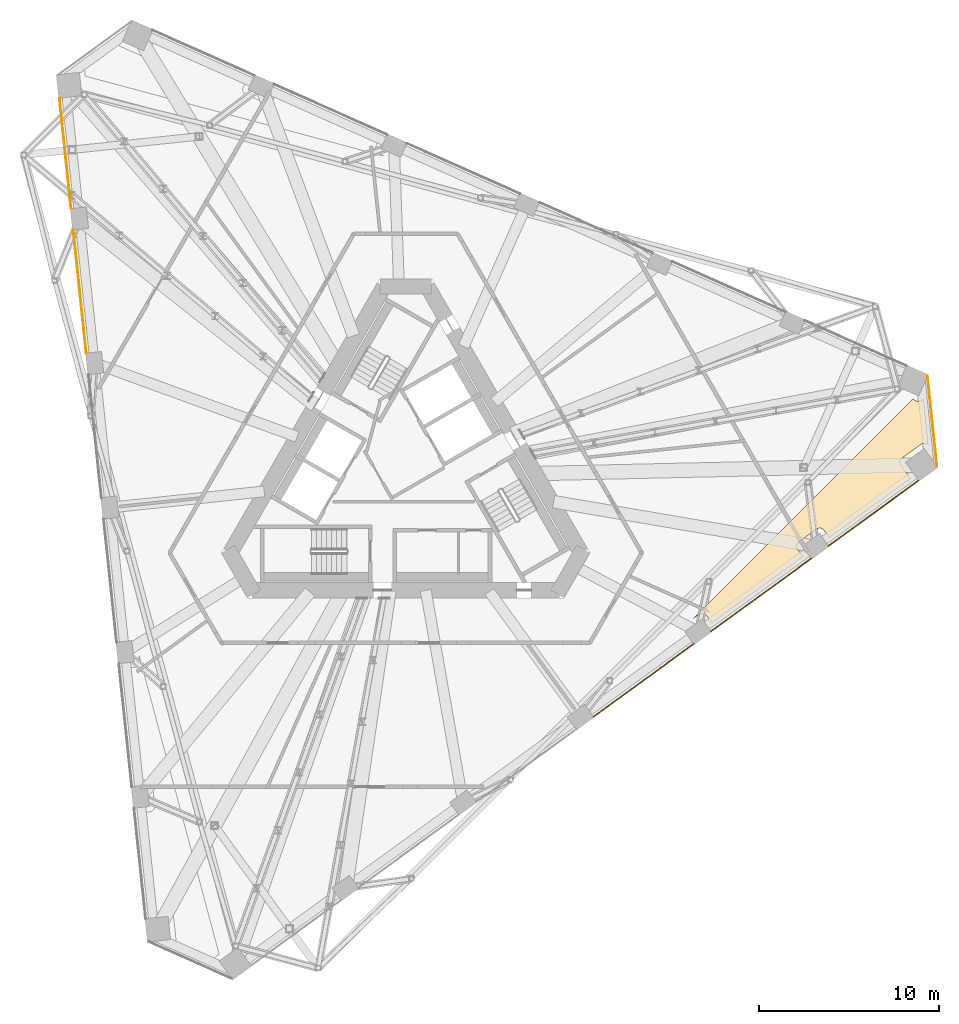
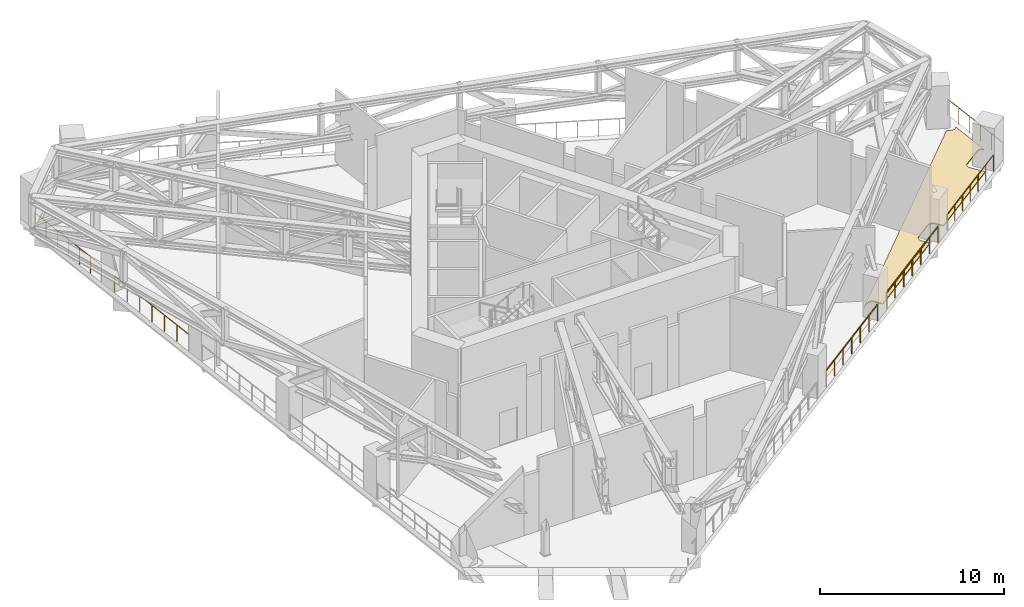
# One storey, part 24 of 26: 6 railings, 2 coverings.
"""IFC4 building model written with IfcOpenShell, lengths in metres."""

from ifc_helpers import new_model, si_unit, direction, frame, origin, origin_2d, place, context, subcontext, project, spatial, polyline, circle, outline, extrude, material, layer, layer_set, type_object, element, save


model = new_model("IFC4")

# Units and contexts
model_context = context("Model", 3, precision=1e-05, world=origin(), true_north=direction((0.0, 1.0)))
body_context = subcontext(model_context, "Body", "Model", "MODEL_VIEW")
ifc_project = project(units=[si_unit("LENGTHUNIT", "METRE"), si_unit("AREAUNIT", "SQUARE_METRE"), si_unit("VOLUMEUNIT", "CUBIC_METRE"), si_unit("PLANEANGLEUNIT", "RADIAN"), si_unit("MASSUNIT", "GRAM", prefix="KILO")], contexts=[model_context])

# Site, building, storey
site_placement = place(None, origin())
site = spatial("IfcSite", under=ifc_project, at=site_placement, CompositionType="ELEMENT")
building_placement = place(site_placement, origin())
building = spatial("IfcBuilding", under=site, at=building_placement, Name="Tramontana Tower", CompositionType="ELEMENT")
storey_placement = place(building_placement, frame((0.0, 0.0, 194.800048828125)))
storey = spatial("IfcBuildingStorey", under=building, at=storey_placement, Name="L45", CompositionType="ELEMENT", Elevation=194.800048828125)

# Railings
ifc_material_1 = material(Name="Stainless steel rail and posts", Category="steel")
railing_type = type_object("IfcRailingType", Name="GD2 Terrace guard 1100", PredefinedType="GUARDRAIL", material=ifc_material_1)
railing_1_placement = place(storey_placement, frame((-19.255859375, 21.05126953125, 0.0)))
element("IfcRailing", 1, at=railing_1_placement, inside=storey, type_object=railing_type, Name="Edge guard L45 2", PredefinedType="GUARDRAIL", context=body_context, shape_type="SweptSolid", body=[
    extrude(circle(Radius=0.02392578125, at=origin_2d()), frame((0.0, 0.0, 1.076171875), z_axis=(0.104518294594, -0.994522964086, 0.0), x_axis=(0.994522964086, 0.104518294594, 0.0)), (0.0, 0.0, 1.0), 6.18310546875),
    extrude(circle(Radius=0.02099609375, at=origin_2d()), origin(), (0.0, 0.0, 1.0), 1.052001953125),
    extrude(circle(Radius=0.02099609375, at=origin_2d()), frame((0.107666015625, -1.02490234375, 0.0)), (0.0, 0.0, 1.0), 1.052001953125),
    extrude(circle(Radius=0.02099609375, at=origin_2d()), frame((0.21533203125, -2.0498046875, 0.0)), (0.0, 0.0, 1.0), 1.052001953125),
    extrude(circle(Radius=0.02099609375, at=origin_2d()), frame((0.3232421875, -3.07470703125, 0.0)), (0.0, 0.0, 1.0), 1.052001953125),
    extrude(circle(Radius=0.02099609375, at=origin_2d()), frame((0.430908203125, -4.099365234375, 0.0)), (0.0, 0.0, 1.0), 1.052001953125),
    extrude(circle(Radius=0.02099609375, at=origin_2d()), frame((0.53857421875, -5.124267578125, 0.0)), (0.0, 0.0, 1.0), 1.052001953125),
    extrude(circle(Radius=0.02099609375, at=origin_2d()), frame((0.646240234375, -6.149169921875, 0.0)), (0.0, 0.0, 1.0), 1.052001953125),
])
railing_2_placement = place(storey_placement, frame((-18.484130859375, 13.708740234375, 0.0)))
element("IfcRailing", 2, at=railing_2_placement, inside=storey, type_object=railing_type, Name="Edge guard L45 3", PredefinedType="GUARDRAIL", context=body_context, shape_type="SweptSolid", body=[
    extrude(circle(Radius=0.02392578125, at=origin_2d()), frame((0.0, 0.0, 1.076171875), z_axis=(0.104531531326, -0.994521572898, 0.0), x_axis=(0.994521572898, 0.104531531326, 0.0)), (0.0, 0.0, 1.0), 6.8828125),
    extrude(circle(Radius=0.02099609375, at=origin_2d()), origin(), (0.0, 0.0, 1.0), 1.052001953125),
    extrude(circle(Radius=0.02099609375, at=origin_2d()), frame((0.119873046875, -1.140869140625, 0.0)), (0.0, 0.0, 1.0), 1.052001953125),
    extrude(circle(Radius=0.02099609375, at=origin_2d()), frame((0.23974609375, -2.28173828125, 0.0)), (0.0, 0.0, 1.0), 1.052001953125),
    extrude(circle(Radius=0.02099609375, at=origin_2d()), frame((0.35986328125, -3.422607421875, 0.0)), (0.0, 0.0, 1.0), 1.052001953125),
    extrude(circle(Radius=0.02099609375, at=origin_2d()), frame((0.479736328125, -4.5634765625, 0.0)), (0.0, 0.0, 1.0), 1.052001953125),
    extrude(circle(Radius=0.02099609375, at=origin_2d()), frame((0.599609375, -5.704345703125, 0.0)), (0.0, 0.0, 1.0), 1.052001953125),
    extrude(circle(Radius=0.02099609375, at=origin_2d()), frame((0.719482421875, -6.84521484375, 0.0)), (0.0, 0.0, 1.0), 1.052001953125),
])
for number, where, name in (
    (3, (10.448486328125, -13.360107421875, 0.0), "Edge guard L45 16"),
    (4, (16.987548828125, -8.609130859375, 0.0), "Edge guard L45 18"),
):
    element("IfcRailing", number, at=place(storey_placement, frame(where)), inside=storey, type_object=railing_type, Name=name, PredefinedType="GUARDRAIL", context=body_context, shape_type="SweptSolid", body=[
        extrude(circle(Radius=0.02392578125, at=origin_2d()), frame((0.0, 0.0, 1.076171875), z_axis=(0.809016690404, 0.587785670672, 0.0), x_axis=(-0.587785670672, 0.809016690404, 0.0)), (0.0, 0.0, 1.0), 6.8828125),
        extrude(circle(Radius=0.02099609375, at=origin_2d()), origin(), (0.0, 0.0, 1.0), 1.052001953125),
        extrude(circle(Radius=0.02099609375, at=origin_2d()), frame((0.927978515625, 0.67431640625, 0.0)), (0.0, 0.0, 1.0), 1.052001953125),
        extrude(circle(Radius=0.02099609375, at=origin_2d()), frame((1.856201171875, 1.3486328125, 0.0)), (0.0, 0.0, 1.0), 1.052001953125),
        extrude(circle(Radius=0.02099609375, at=origin_2d()), frame((2.7841796875, 2.02294921875, 0.0)), (0.0, 0.0, 1.0), 1.052001953125),
        extrude(circle(Radius=0.02099609375, at=origin_2d()), frame((3.712158203125, 2.697021484375, 0.0)), (0.0, 0.0, 1.0), 1.052001953125),
        extrude(circle(Radius=0.02099609375, at=origin_2d()), frame((4.640380859375, 3.371337890625, 0.0)), (0.0, 0.0, 1.0), 1.052001953125),
        extrude(circle(Radius=0.02099609375, at=origin_2d()), frame((5.568359375, 4.045654296875, 0.0)), (0.0, 0.0, 1.0), 1.052001953125),
    ])
railing_3_placement = place(storey_placement, frame((23.52685546875, -3.858154296875, 0.0)))
element("IfcRailing", 5, at=railing_3_placement, inside=storey, type_object=railing_type, Name="Edge guard L45 20", PredefinedType="GUARDRAIL", context=body_context, shape_type="SweptSolid", body=[
    extrude(circle(Radius=0.02392578125, at=origin_2d()), frame((0.0, 0.0, 1.076171875), z_axis=(0.809005790194, 0.587800673215, 0.0), x_axis=(-0.587800673215, 0.809005790194, 0.0)), (0.0, 0.0, 1.0), 6.182861328125),
    extrude(circle(Radius=0.02099609375, at=origin_2d()), origin(), (0.0, 0.0, 1.0), 1.052001953125),
    extrude(circle(Radius=0.02099609375, at=origin_2d()), frame((0.833740234375, 0.605712890625, 0.0)), (0.0, 0.0, 1.0), 1.052001953125),
    extrude(circle(Radius=0.02099609375, at=origin_2d()), frame((1.667236328125, 1.21142578125, 0.0)), (0.0, 0.0, 1.0), 1.052001953125),
    extrude(circle(Radius=0.02099609375, at=origin_2d()), frame((2.5009765625, 1.817138671875, 0.0)), (0.0, 0.0, 1.0), 1.052001953125),
    extrude(circle(Radius=0.02099609375, at=origin_2d()), frame((3.334716796875, 2.4228515625, 0.0)), (0.0, 0.0, 1.0), 1.052001953125),
    extrude(circle(Radius=0.02099609375, at=origin_2d()), frame((4.168212890625, 3.028564453125, 0.0)), (0.0, 0.0, 1.0), 1.052001953125),
    extrude(circle(Radius=0.02099609375, at=origin_2d()), frame((5.001953125, 3.63427734375, 0.0)), (0.0, 0.0, 1.0), 1.052001953125),
])
railing_4_placement = place(storey_placement, frame((29.55126953125, 0.58056640625, 0.0)))
element("IfcRailing", 6, at=railing_4_placement, inside=storey, type_object=railing_type, Name="Edge guard L45 21", PredefinedType="GUARDRAIL", context=body_context, shape_type="SweptSolid", body=[
    extrude(circle(Radius=0.02392578125, at=origin_2d()), frame((0.0, 0.0, 1.076171875), z_axis=(-0.104545631668, 0.994520090747, 0.0), x_axis=(-0.994520090747, -0.104545631668, 0.0)), (0.0, 0.0, 1.0), 5.023193359375),
    extrude(circle(Radius=0.02099609375, at=origin_2d()), origin(), (0.0, 0.0, 1.0), 1.052001953125),
    extrude(circle(Radius=0.02099609375, at=origin_2d()), frame((-0.10498046875, 0.9990234375, 0.0)), (0.0, 0.0, 1.0), 1.052001953125),
    extrude(circle(Radius=0.02099609375, at=origin_2d()), frame((-0.2099609375, 1.998291015625, 0.0)), (0.0, 0.0, 1.0), 1.052001953125),
    extrude(circle(Radius=0.02099609375, at=origin_2d()), frame((-0.315185546875, 2.997314453125, 0.0)), (0.0, 0.0, 1.0), 1.052001953125),
    extrude(circle(Radius=0.02099609375, at=origin_2d()), frame((-0.420166015625, 3.99658203125, 0.0)), (0.0, 0.0, 1.0), 1.052001953125),
    extrude(circle(Radius=0.02099609375, at=origin_2d()), frame((-0.525146484375, 4.99560546875, 0.0)), (0.0, 0.0, 1.0), 1.052001953125),
])

# Coverings
ifc_material_2 = material(Name="Limestone paving 60", Category="masonry")
ifc_layer_1 = layer(ifc_material_2, 0.06005859375)
ifc_layer_set_1 = layer_set([ifc_layer_1], Name="PV1 Terrace paving 60")
covering_type_1 = type_object("IfcCoveringType", Name="PV1 Terrace paving 60", PredefinedType="FLOORING", material=ifc_layer_set_1)
covering_1_placement = place(storey_placement, frame((0.0, 0.0, 0.010009765625)))
element("IfcCovering", 7, at=covering_1_placement, inside=storey, type_object=covering_type_1, Name="Terrace paving L45 3", PredefinedType="FLOORING", context=body_context, shape_type="SweptSolid", body=[
    extrude(outline(polyline([(29.0771484375, 1.741943359375), (29.070068359375, 1.750732421875), (29.049560546875, 1.771728515625), (29.02685546875, 1.790771484375), (29.002685546875, 1.807373046875), (28.976806640625, 1.8212890625), (28.94970703125, 1.8330078125), (28.921630859375, 1.841796875), (28.892822265625, 1.84765625), (28.863525390625, 1.850830078125), (28.833984375, 1.851318359375), (28.8046875, 1.8486328125), (28.77587890625, 1.84326171875), (28.74755859375, 1.8349609375), (28.72021484375, 1.823974609375), (28.694091796875, 1.810302734375), (28.66943359375, 1.794189453125), (27.61767578125, 1.030029296875), (27.594970703125, 1.01171875), (27.57373046875, 0.990966796875), (27.554931640625, 0.968505859375), (27.538330078125, 0.944091796875), (27.524169921875, 0.918212890625), (27.5126953125, 0.89111328125), (27.50390625, 0.863037109375), (27.497802734375, 0.834228515625), (27.49462890625, 0.804931640625), (27.494384765625, 0.775634765625), (27.4970703125, 0.746337890625), (27.50244140625, 0.71728515625), (27.5107421875, 0.68896484375), (27.521728515625, 0.661865234375), (27.535400390625, 0.6357421875), (27.551513671875, 0.611083984375), (28.080322265625, -0.1171875), (23.563720703125, -3.398681640625), (23.269775390625, -2.994140625), (23.25146484375, -2.97119140625), (23.230712890625, -2.9501953125), (23.208251953125, -2.931396484375), (23.183837890625, -2.914794921875), (23.158203125, -2.900634765625), (23.131103515625, -2.888916015625), (23.10302734375, -2.880126953125), (23.073974609375, -2.874267578125), (23.044921875, -2.87109375), (23.015380859375, -2.87060546875), (22.986083984375, -2.873291015625), (22.95703125, -2.878662109375), (22.928955078125, -2.886962890625), (22.901611328125, -2.89794921875), (22.87548828125, -2.91162109375), (22.850830078125, -2.927734375), (21.880126953125, -3.633056640625), (21.857177734375, -3.651611328125), (21.8359375, -3.672119140625), (21.817138671875, -3.69482421875), (21.800537109375, -3.718994140625), (21.786376953125, -3.744873046875), (21.77490234375, -3.77197265625), (21.76611328125, -3.800048828125), (21.760009765625, -3.828857421875), (21.7568359375, -3.858154296875), (21.756591796875, -3.8876953125), (21.75927734375, -3.9169921875), (21.7646484375, -3.94580078125), (21.77294921875, -3.97412109375), (21.783935546875, -4.00146484375), (21.797607421875, -4.027587890625), (21.813720703125, -4.05224609375), (22.107421875, -4.456787109375), (17.024658203125, -8.149658203125), (16.730712890625, -7.7451171875), (16.712158203125, -7.72216796875), (16.691650390625, -7.701171875), (16.6689453125, -7.682373046875), (16.644775390625, -7.665771484375), (16.618896484375, -7.651611328125), (16.591796875, -7.64013671875), (16.563720703125, -7.631103515625), (16.534912109375, -7.625244140625), (16.505615234375, -7.6220703125), (16.47607421875, -7.621826171875), (16.44677734375, -7.624267578125), (16.41796875, -7.6298828125), (16.3896484375, -7.637939453125), (16.3623046875, -7.649169921875), (16.336181640625, -7.66259765625), (16.3115234375, -7.6787109375), (15.981689453125, -7.91845703125), (28.201416015625, 4.30126953125), (28.416015625, 4.205810546875), (28.443603515625, 4.195068359375), (28.471923828125, 4.187255859375), (28.5009765625, 4.18212890625), (28.5302734375, 4.179931640625), (28.5595703125, 4.1806640625), (28.5888671875, 4.18408203125), (28.61767578125, 4.190673828125), (28.6455078125, 4.19970703125), (28.672607421875, 4.211669921875), (28.6982421875, 4.22607421875), (28.72216796875, 4.242919921875), (28.74462890625, 4.26220703125), (28.764892578125, 4.283447265625), (28.782958984375, 4.306640625), (28.798828125, 4.33154296875), (28.803955078125, 4.341552734375), (29.0771484375, 1.741943359375)])), origin(), (0.0, 0.0, 1.0), 0.06005859375),
])
ifc_material_3 = material(Name="Bituminous waterproofing membrane")
ifc_layer_2 = layer(ifc_material_3, 0.010009765625)
ifc_layer_set_2 = layer_set([ifc_layer_2], Name="WP1 Terrace waterproofing membrane 10")
covering_type_2 = type_object("IfcCoveringType", Name="WP1 Terrace waterproofing membrane 10", PredefinedType="MEMBRANE", material=ifc_layer_set_2)
covering_2_placement = place(storey_placement, origin())
element("IfcCovering", 8, at=covering_2_placement, inside=storey, type_object=covering_type_2, Name="Terrace membrane L45 3", PredefinedType="MEMBRANE", context=body_context, shape_type="SweptSolid", body=[
    extrude(outline(polyline([(29.0771484375, 1.741943359375), (29.070068359375, 1.750732421875), (29.049560546875, 1.771728515625), (29.02685546875, 1.790771484375), (29.002685546875, 1.807373046875), (28.976806640625, 1.8212890625), (28.94970703125, 1.8330078125), (28.921630859375, 1.841796875), (28.892822265625, 1.84765625), (28.863525390625, 1.850830078125), (28.833984375, 1.851318359375), (28.8046875, 1.8486328125), (28.77587890625, 1.84326171875), (28.74755859375, 1.8349609375), (28.72021484375, 1.823974609375), (28.694091796875, 1.810302734375), (28.66943359375, 1.794189453125), (27.61767578125, 1.030029296875), (27.594970703125, 1.01171875), (27.57373046875, 0.990966796875), (27.554931640625, 0.968505859375), (27.538330078125, 0.944091796875), (27.524169921875, 0.918212890625), (27.5126953125, 0.89111328125), (27.50390625, 0.863037109375), (27.497802734375, 0.834228515625), (27.49462890625, 0.804931640625), (27.494384765625, 0.775634765625), (27.4970703125, 0.746337890625), (27.50244140625, 0.71728515625), (27.5107421875, 0.68896484375), (27.521728515625, 0.661865234375), (27.535400390625, 0.6357421875), (27.551513671875, 0.611083984375), (28.080322265625, -0.1171875), (23.563720703125, -3.398681640625), (23.269775390625, -2.994140625), (23.25146484375, -2.97119140625), (23.230712890625, -2.9501953125), (23.208251953125, -2.931396484375), (23.183837890625, -2.914794921875), (23.158203125, -2.900634765625), (23.131103515625, -2.888916015625), (23.10302734375, -2.880126953125), (23.073974609375, -2.874267578125), (23.044921875, -2.87109375), (23.015380859375, -2.87060546875), (22.986083984375, -2.873291015625), (22.95703125, -2.878662109375), (22.928955078125, -2.886962890625), (22.901611328125, -2.89794921875), (22.87548828125, -2.91162109375), (22.850830078125, -2.927734375), (21.880126953125, -3.633056640625), (21.857177734375, -3.651611328125), (21.8359375, -3.672119140625), (21.817138671875, -3.69482421875), (21.800537109375, -3.718994140625), (21.786376953125, -3.744873046875), (21.77490234375, -3.77197265625), (21.76611328125, -3.800048828125), (21.760009765625, -3.828857421875), (21.7568359375, -3.858154296875), (21.756591796875, -3.8876953125), (21.75927734375, -3.9169921875), (21.7646484375, -3.94580078125), (21.77294921875, -3.97412109375), (21.783935546875, -4.00146484375), (21.797607421875, -4.027587890625), (21.813720703125, -4.05224609375), (22.107421875, -4.456787109375), (17.024658203125, -8.149658203125), (16.730712890625, -7.7451171875), (16.712158203125, -7.72216796875), (16.691650390625, -7.701171875), (16.6689453125, -7.682373046875), (16.644775390625, -7.665771484375), (16.618896484375, -7.651611328125), (16.591796875, -7.64013671875), (16.563720703125, -7.631103515625), (16.534912109375, -7.625244140625), (16.505615234375, -7.6220703125), (16.47607421875, -7.621826171875), (16.44677734375, -7.624267578125), (16.41796875, -7.6298828125), (16.3896484375, -7.637939453125), (16.3623046875, -7.649169921875), (16.336181640625, -7.66259765625), (16.3115234375, -7.6787109375), (15.981689453125, -7.91845703125), (28.201416015625, 4.30126953125), (28.416015625, 4.205810546875), (28.443603515625, 4.195068359375), (28.471923828125, 4.187255859375), (28.5009765625, 4.18212890625), (28.5302734375, 4.179931640625), (28.5595703125, 4.1806640625), (28.5888671875, 4.18408203125), (28.61767578125, 4.190673828125), (28.6455078125, 4.19970703125), (28.672607421875, 4.211669921875), (28.6982421875, 4.22607421875), (28.72216796875, 4.242919921875), (28.74462890625, 4.26220703125), (28.764892578125, 4.283447265625), (28.782958984375, 4.306640625), (28.798828125, 4.33154296875), (28.803955078125, 4.341552734375), (29.0771484375, 1.741943359375)])), origin(), (0.0, 0.0, 1.0), 0.010009765625),
])

save(model, "model.ifc")
